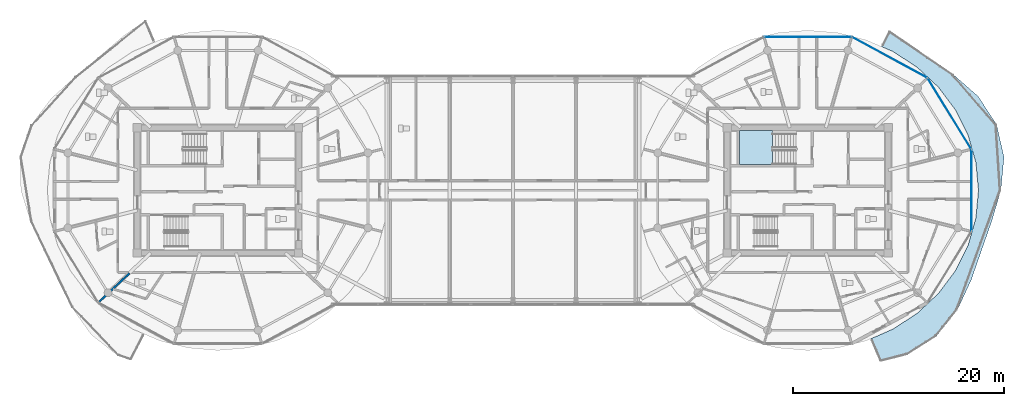
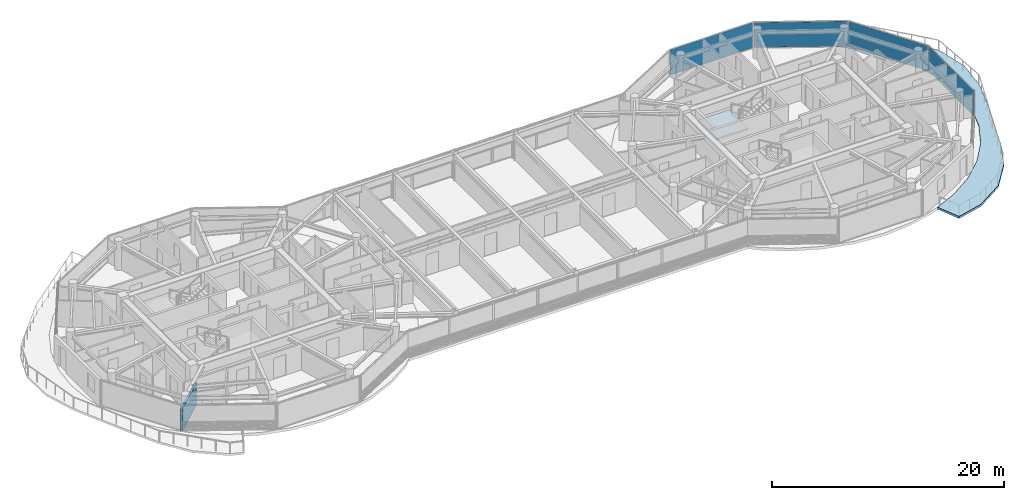
# One storey, part 13 of 26: 4 plates, 2 slabs, 1 wall, 5 elements without a shape of their own.
"""IFC4 building model written with IfcOpenShell, lengths in metres."""

from ifc_helpers import new_model, si_unit, direction, frame, frame_2d, origin, origin_2d, place, context, subcontext, project, spatial, polyline, rectangle, outline, extrude, source, transform, mapped, material, layer, layer_set, type_object, type_shapes, element, aggregate, save


model = new_model("IFC4")

# Units and contexts
model_context = context("Model", 3, precision=1e-05, world=origin(), true_north=direction((0.0, 1.0)))
body_context = subcontext(model_context, "Body", "Model", "MODEL_VIEW")
ifc_project = project(units=[si_unit("LENGTHUNIT", "METRE"), si_unit("AREAUNIT", "SQUARE_METRE"), si_unit("VOLUMEUNIT", "CUBIC_METRE"), si_unit("PLANEANGLEUNIT", "RADIAN"), si_unit("MASSUNIT", "GRAM", prefix="KILO")], contexts=[model_context])

# Site, building, storey
site_placement = place(None, origin())
site = spatial("IfcSite", under=ifc_project, at=site_placement, CompositionType="ELEMENT")
building_placement = place(site_placement, origin())
building = spatial("IfcBuilding", under=site, at=building_placement, Name="Norrkilde Senior Care Towers", CompositionType="ELEMENT")
storey_placement = place(building_placement, frame((0.0, 0.0, 210.85009765625)))
storey = spatial("IfcBuildingStorey", under=building, at=storey_placement, Name="L65", CompositionType="ELEMENT", Elevation=210.85009765625)

# Slab
ifc_material_1 = material(Name="Concrete C50/60", Category="concrete")
ifc_layer_1 = layer(ifc_material_1, 0.215087890625)
ifc_layer_set_1 = layer_set([ifc_layer_1], Name="Concrete C50/60")
slab_type_1 = type_object("IfcSlabType", Name="Sinusoidal Balcony Ribbon Slab 215", PredefinedType="FLOOR", material=ifc_layer_set_1)
slab_1_placement = place(storey_placement, frame((0.0, 0.0, -0.215087890625)))
element("IfcSlab", 1, at=slab_1_placement, inside=storey, type_object=slab_type_1, Name="L65 Drum E Swirling Senior Balcony 1", PredefinedType="FLOOR", context=body_context, shape_type="SweptSolid", body=[
    extrude(outline(polyline([(42.19140625, -11.363525390625), (40.17822265625, -13.8857421875), (37.431884765625, -15.6220703125), (34.88232421875, -16.26708984375), (33.966552734375, -14.1025390625), (36.1025390625, -13.16796875), (38.416259765625, -11.647705078125), (40.413818359375, -9.773681640625), (42.033935546875, -7.6025390625), (43.227783203125, -5.200439453125), (43.958740234375, -2.640380859375), (44.205078125, 0.0), (43.958740234375, 2.640380859375), (43.227783203125, 5.200439453125), (42.033935546875, 7.6025390625), (40.413818359375, 9.773681640625), (38.416259765625, 11.647705078125), (36.1025390625, 13.16796875), (34.976806640625, 13.660400390625), (35.733642578125, 15.14208984375), (36.79248046875, 14.44189453125), (39.277099609375, 12.7412109375), (41.79638671875, 11.01025390625), (44.16943359375, 8.916748046875), (45.915771484375, 6.2431640625), (46.625732421875, 3.1416015625), (46.324951171875, 0.0), (45.458740234375, -2.92236328125), (44.49267578125, -5.691162109375), (43.509521484375, -8.510498046875), (42.19140625, -11.363525390625)])), origin(), (0.0, 0.0, 1.0), 0.215087890625),
])

# Stair, slab
ifc_material_2 = material(Name="Concrete C45/55", Category="concrete")
stair_type = type_object("IfcStairType", Name="Core Protected Dogleg Stair Typical 3050", PredefinedType="HALF_TURN_STAIR", material=ifc_material_2)
stair_placement = place(storey_placement, origin())
stair = element("IfcStair", 2, at=stair_placement, inside=storey, type_object=stair_type, Name="L65 Protected Core Stair E1", PredefinedType="HALF_TURN_STAIR")
ifc_layer_2 = layer(ifc_material_2, 0.199951171875)
ifc_layer_set_2 = layer_set([ifc_layer_2], Name="Concrete C45/55")
slab_type_2 = type_object("IfcSlabType", Name="Stair Landing Slab 200", PredefinedType="LANDING", material=ifc_layer_set_2)
slab_2_placement = place(storey_placement, frame((0.0, 0.0, 1.324951171875)))
slab_2 = element("IfcSlab", 3, at=slab_2_placement, type_object=slab_type_2, Name="ST-E1 landing 1", PredefinedType="LANDING", context=body_context, shape_type="SweptSolid", body=[
    extrude(outline(polyline([(24.659912109375, 5.68994140625), (21.5, 5.68994140625), (21.5, 2.449951171875), (24.659912109375, 2.449951171875), (24.659912109375, 5.68994140625)])), origin(), (0.0, 0.0, 1.0), 0.199951171875),
])
aggregate(stair, [slab_2])

# Curtain wall, plate
ifc_material_3 = material(Name="Triple Low-E Insulated Glazing", Category="glass")
ifc_layer_3 = layer(ifc_material_3, 0.18505859375)
ifc_layer_set_3 = layer_set([ifc_layer_3], Name="Triple Low-E Insulated Glazing")
curtain_wall_type = type_object("IfcCurtainWallType", Name="CW6 Zone 4 Crown Pavilion Curtain Wall", PredefinedType="NOTDEFINED", material=ifc_layer_set_3)
curtain_wall_1_placement = place(storey_placement, origin())
curtain_wall_1 = element("IfcCurtainWall", 4, at=curtain_wall_1_placement, inside=storey, type_object=curtain_wall_type, Name="L65 Drum E Curtain Wall 00", PredefinedType="NOTDEFINED")
ifc_layer_4 = layer(ifc_material_3, 0.035888671875)
ifc_layer_set_4 = layer_set([ifc_layer_4], Name="Triple Low-E Insulated Glazing")
plate_type = type_object("IfcPlateType", Name="Triple Low-E Vision Curtain Panel 36", PredefinedType="CURTAIN_PANEL", material=ifc_layer_set_4)
shared_shape_1 = source(origin(), body_context, "Body", "SweptSolid", [
    extrude(rectangle(XDim=7.80859375, YDim=0.035888671875, at=origin_2d()), origin(), (0.0, 0.0, 1.0), 2.639892578125),
])
plate_1_placement = place(storey_placement, frame((41.451171875, 7.282958984375, 0.06005859375), z_axis=(0.0, 0.0, 1.0), x_axis=(0.524252726748, -0.851562727283, 0.0)))
plate_1 = element("IfcPlate", 5, at=plate_1_placement, type_object=plate_type, Name="CW-6 panel 1.1", PredefinedType="CURTAIN_PANEL", context=body_context, shape_type="MappedRepresentation", body=[
    mapped(shared_shape_1, transform((0.0, 0.0, 0.0), x_axis=(1.0, 0.0, 0.0), y_axis=(0.0, 1.0, 0.0), z_axis=(0.0, 0.0, 1.0), scale=1.0)),
])
aggregate(curtain_wall_1, [plate_1])

curtain_wall_2_placement = place(storey_placement, origin())
curtain_wall_2 = element("IfcCurtainWall", 6, at=curtain_wall_2_placement, inside=storey, type_object=curtain_wall_type, Name="L65 Drum E Curtain Wall 01", PredefinedType="NOTDEFINED")
shared_shape_2 = source(origin(), body_context, "Body", "SweptSolid", [
    extrude(rectangle(XDim=8.0673828125, YDim=0.035888671875, at=origin_2d()), origin(), (0.0, 0.0, 1.0), 2.639892578125),
])
plate_2_placement = place(storey_placement, frame((35.76611328125, 12.61474609375, 0.06005859375), z_axis=(0.0, 0.0, 1.0), x_axis=(0.879373455772, -0.476132676136, 0.0)))
plate_2 = element("IfcPlate", 7, at=plate_2_placement, type_object=plate_type, Name="CW-6 panel 1.1", PredefinedType="CURTAIN_PANEL", context=body_context, shape_type="MappedRepresentation", body=[
    mapped(shared_shape_2, transform((0.0, 0.0, 0.0), x_axis=(1.0, 0.0, 0.0), y_axis=(0.0, 1.0, 0.0), z_axis=(0.0, 0.0, 1.0), scale=1.0)),
])
aggregate(curtain_wall_2, [plate_2])

curtain_wall_3_placement = place(storey_placement, origin())
curtain_wall_3 = element("IfcCurtainWall", 8, at=curtain_wall_3_placement, inside=storey, type_object=curtain_wall_type, Name="L65 Drum E Curtain Wall 02", PredefinedType="NOTDEFINED")
shared_shape_3 = source(origin(), body_context, "Body", "SweptSolid", [
    extrude(rectangle(XDim=8.193603515625, YDim=0.035888671875, at=origin_2d()), origin(), (0.0, 0.0, 1.0), 2.639892578125),
])
plate_3_placement = place(storey_placement, frame((28.0, 14.566162109375, 0.06005859375), z_axis=(0.0, 0.0, 1.0), x_axis=(1.0, 0.0, 0.0)))
plate_3 = element("IfcPlate", 9, at=plate_3_placement, type_object=plate_type, Name="CW-6 panel 1.1", PredefinedType="CURTAIN_PANEL", context=body_context, shape_type="MappedRepresentation", body=[
    mapped(shared_shape_3, transform((0.0, 0.0, 0.0), x_axis=(1.0, 0.0, 0.0), y_axis=(0.0, 1.0, 0.0), z_axis=(0.0, 0.0, 1.0), scale=1.0)),
])
aggregate(curtain_wall_3, [plate_3])

curtain_wall_4_placement = place(storey_placement, origin())
curtain_wall_4 = element("IfcCurtainWall", 10, at=curtain_wall_4_placement, inside=storey, type_object=curtain_wall_type, Name="L65 Drum E Curtain Wall 11", PredefinedType="NOTDEFINED")
shared_shape_4 = source(origin(), body_context, "Body", "SweptSolid", [
    extrude(rectangle(XDim=7.676025390625, YDim=0.035888671875, at=origin_2d()), origin(), (0.0, 0.0, 1.0), 2.639892578125),
])
type_shapes(plate_type, [shared_shape_1, shared_shape_2, shared_shape_3, shared_shape_4])
plate_4_placement = place(storey_placement, frame((43.531982421875, 0.0, 0.06005859375), z_axis=(0.0, 0.0, 1.0), x_axis=(0.0, -1.0, 0.0)))
plate_4 = element("IfcPlate", 11, at=plate_4_placement, type_object=plate_type, Name="CW-6 panel 1.1", PredefinedType="CURTAIN_PANEL", context=body_context, shape_type="MappedRepresentation", body=[
    mapped(shared_shape_4, transform((0.0, 0.0, 0.0), x_axis=(1.0, 0.0, 0.0), y_axis=(0.0, 1.0, 0.0), z_axis=(0.0, 0.0, 1.0), scale=1.0)),
])
aggregate(curtain_wall_4, [plate_4])

# Wall
ifc_material_4 = material(Name="Gypsum Acoustic Board")
ifc_layer_5 = layer(ifc_material_4, 0.18994140625)
ifc_layer_set_5 = layer_set([ifc_layer_5], Name="Gypsum Acoustic Board")
wall_type = type_object("IfcWallType", Name="Unit Demising Acoustic Wall 190", PredefinedType="PARTITIONING", material=ifc_layer_set_5)
shared_shape_5 = source(origin(), body_context, "Body", "SweptSolid", [
    extrude(rectangle(XDim=4.089111328125, YDim=0.18994140625, at=frame_2d((2.04443359375, 0.0))), origin(), (0.0, 0.0, 1.0), 2.344970703125),
])
type_shapes(wall_type, [shared_shape_5])
wall_placement = place(storey_placement, frame((-36.40185546875, -7.8798828125, 0.0), z_axis=(0.0, 0.0, 1.0), x_axis=(-0.729401273609, -0.684086092577, 0.0)))
element("IfcWall", 12, at=wall_placement, inside=storey, type_object=wall_type, Name="WL-INT-L65-W-DEM-07-0", PredefinedType="PARTITIONING", context=body_context, shape_type="MappedRepresentation", body=[
    mapped(shared_shape_5, transform((0.0, 0.0, 0.0), x_axis=(1.0, 0.0, 0.0), y_axis=(0.0, 1.0, 0.0), z_axis=(0.0, 0.0, 1.0), scale=1.0)),
])

save(model, "model.ifc")
